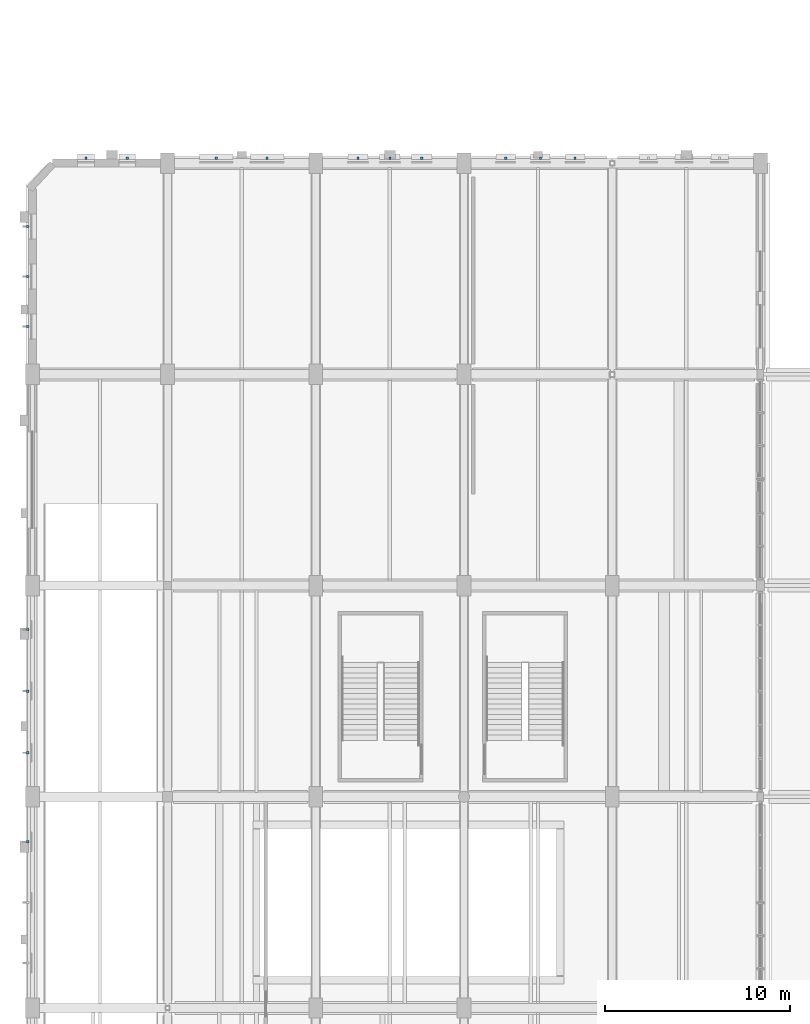
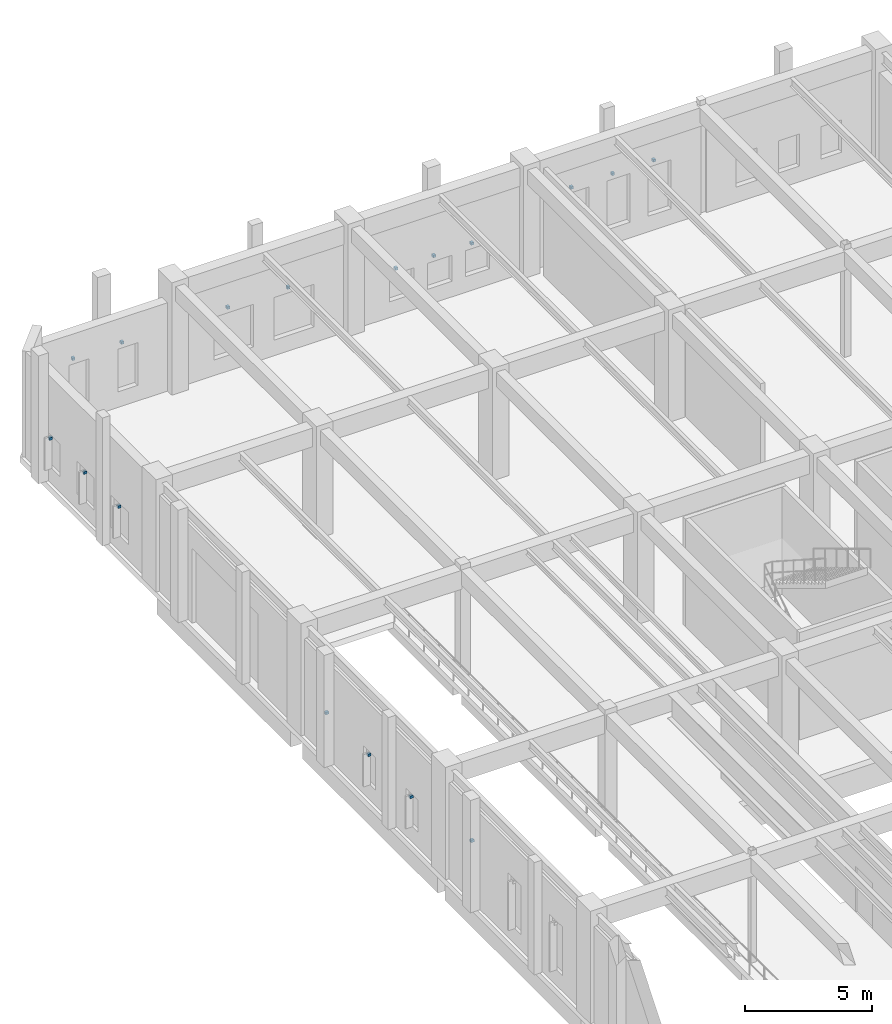
# One storey, part 102 of 113: 17 discrete accessories.
"""IFC4 building model written with IfcOpenShell, lengths in metres."""

from ifc_helpers import new_model, si_unit, direction, frame, origin, origin_2d, place, context, subcontext, project, spatial, rectangle, extrude, material, type_object, element, save


model = new_model("IFC4")

# Units and contexts
model_context = context("Model", 3, precision=1e-05, world=origin(), true_north=direction((0.0, 1.0)))
body_context = subcontext(model_context, "Body", "Model", "MODEL_VIEW")
ifc_project = project(units=[si_unit("LENGTHUNIT", "METRE"), si_unit("AREAUNIT", "SQUARE_METRE"), si_unit("VOLUMEUNIT", "CUBIC_METRE"), si_unit("PLANEANGLEUNIT", "RADIAN"), si_unit("MASSUNIT", "GRAM", prefix="KILO"), si_unit("POWERUNIT", "WATT"), si_unit("THERMODYNAMICTEMPERATUREUNIT", "KELVIN")], contexts=[model_context])

# Site, building, storey
site_placement = place(None, origin())
site = spatial("IfcSite", under=ifc_project, at=site_placement, CompositionType="ELEMENT")
building_placement = place(site_placement, origin())
building = spatial("IfcBuilding", under=site, at=building_placement, Name="Kelmbourne Parkland Aquatics Centre", CompositionType="ELEMENT")
storey_placement = place(building_placement, origin())
storey = spatial("IfcBuildingStorey", under=building, at=storey_placement, Name="L00", CompositionType="ELEMENT", Elevation=0.0)

# Discrete accessories
ifc_material = material(Name="Hot-dip galvanised structural steel AS/NZS 4680", Category="steel")
discrete_accessory_type = type_object("IfcDiscreteAccessoryType", Name="ACC-BRK-1", PredefinedType="BRACKET", material=ifc_material)
for number, where, z_axis, x_axis, name in (
    (1, (0.445068359375, 66.77294921875, 2.93994140625), (0.0, 0.0, 1.0), (0.0, 1.0, 0.0), "Galvanised sunshade fixing bracket 015"),
    (2, (0.445068359375, 71.576904296875, 2.139892578125), (0.0, 0.0, 1.0), (0.0, 1.0, 0.0), "Galvanised sunshade fixing bracket 016"),
    (3, (0.445068359375, 74.89990234375, 2.139892578125), (0.0, 0.0, 1.0), (0.0, 1.0, 0.0), "Galvanised sunshade fixing bracket 017"),
    (4, (0.445068359375, 78.222900390625, 2.139892578125), (0.0, 0.0, 1.0), (0.0, 1.0, 0.0), "Galvanised sunshade fixing bracket 018"),
    (5, (0.445068359375, 94.576904296875, 2.139892578125), (0.0, 0.0, 1.0), (0.0, 1.0, 0.0), "Galvanised sunshade fixing bracket 019"),
    (6, (0.445068359375, 97.27587890625, 2.139892578125), (0.0, 0.0, 1.0), (0.0, 1.0, 0.0), "Galvanised sunshade fixing bracket 020"),
    (7, (0.445068359375, 99.97509765625, 2.139892578125), (0.0, 0.0, 1.0), (0.0, 1.0, 0.0), "Galvanised sunshade fixing bracket 021"),
    (8, (3.60009765625, 103.655029296875, 2.639892578125), (0.0, 0.0, 1.0), (1.0, 0.0, 0.0), "Galvanised sunshade fixing bracket 032"),
    (9, (5.822998046875, 103.655029296875, 2.639892578125), (0.0, 0.0, 1.0), (1.0, 0.0, 0.0), "Galvanised sunshade fixing bracket 033"),
    (10, (10.626953125, 103.655029296875, 2.639892578125), (0.0, 0.0, 1.0), (1.0, 0.0, 0.0), "Galvanised sunshade fixing bracket 034"),
    (11, (13.373046875, 103.655029296875, 2.639892578125), (0.0, 0.0, 1.0), (1.0, 0.0, 0.0), "Galvanised sunshade fixing bracket 035"),
    (12, (18.277099609375, 103.655029296875, 1.83984375), (0.0, 0.0, 1.0), (1.0, 0.0, 0.0), "Galvanised sunshade fixing bracket 036"),
    (13, (20.0, 103.655029296875, 1.83984375), (0.0, 0.0, 1.0), (1.0, 0.0, 0.0), "Galvanised sunshade fixing bracket 037"),
    (14, (21.722900390625, 103.655029296875, 1.83984375), (0.0, 0.0, 1.0), (1.0, 0.0, 0.0), "Galvanised sunshade fixing bracket 038"),
    (15, (26.251953125, 103.655029296875, 2.93994140625), (0.0, 0.0, 1.0), (1.0, 0.0, 0.0), "Galvanised sunshade fixing bracket 039"),
    (16, (28.125, 103.655029296875, 2.93994140625), (0.0, 0.0, 1.0), (1.0, 0.0, 0.0), "Galvanised sunshade fixing bracket 040"),
    (17, (29.998046875, 103.655029296875, 2.93994140625), (0.0, 0.0, 1.0), (1.0, 0.0, 0.0), "Galvanised sunshade fixing bracket 041"),
):
    element("IfcDiscreteAccessory", number, at=place(storey_placement, frame(where, z_axis=z_axis, x_axis=x_axis)), inside=storey, type_object=discrete_accessory_type, Name=name, PredefinedType="BRACKET", context=body_context, shape_type="SweptSolid", body=[
        extrude(rectangle(XDim=0.1201171875, YDim=0.139892578125, at=origin_2d()), origin(), (0.0, 0.0, 1.0), 0.1201171875),
    ])

save(model, "model.ifc")
